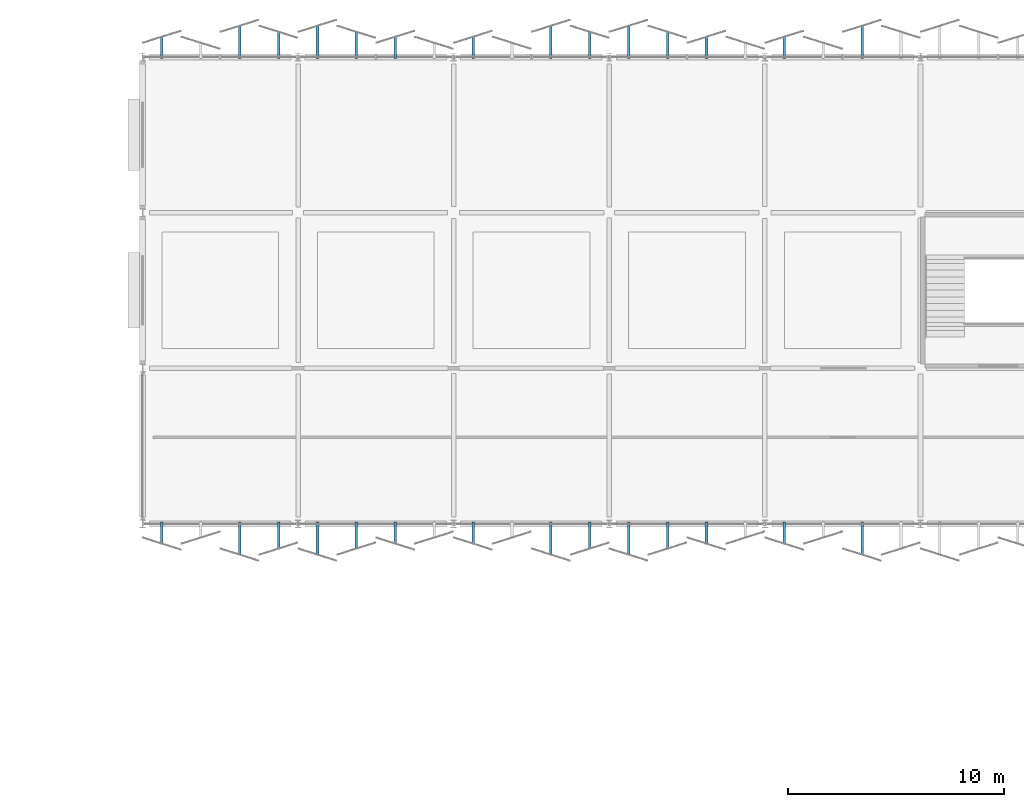
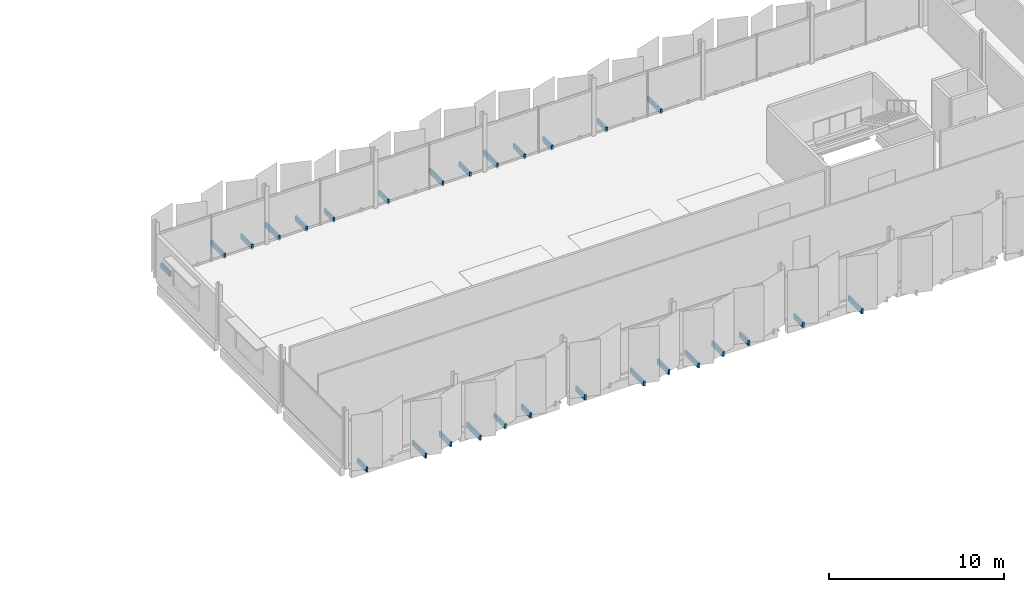
# One storey, part 80 of 91: 28 discrete accessories.
"""IFC4 building model written with IfcOpenShell, lengths in metres."""

from ifc_helpers import new_model, si_unit, direction, frame, origin, origin_2d, place, context, subcontext, project, spatial, rectangle, extrude, material, type_object, element, save


model = new_model("IFC4")

# Units and contexts
model_context = context("Model", 3, precision=1e-05, world=origin(), true_north=direction((0.0, 1.0)))
body_context = subcontext(model_context, "Body", "Model", "MODEL_VIEW")
ifc_project = project(units=[si_unit("LENGTHUNIT", "METRE"), si_unit("AREAUNIT", "SQUARE_METRE"), si_unit("VOLUMEUNIT", "CUBIC_METRE"), si_unit("PLANEANGLEUNIT", "RADIAN"), si_unit("MASSUNIT", "GRAM", prefix="KILO")], contexts=[model_context])

# Site, building, storey
site_placement = place(None, origin())
site = spatial("IfcSite", under=ifc_project, at=site_placement, CompositionType="ELEMENT")
building_placement = place(site_placement, origin())
building = spatial("IfcBuilding", under=site, at=building_placement, Name="Kangsadwip Square Police Headquarters", CompositionType="ELEMENT")
storey_placement = place(building_placement, frame((0.0, 0.0, 13.5)))
storey = spatial("IfcBuildingStorey", under=building, at=storey_placement, Name="L03", CompositionType="ELEMENT", Elevation=13.5)

# Discrete accessories
ifc_material = material(Name="Structural steel IS 2062 E350 (Grade 350, 350 MPa)", Category="steel")
discrete_accessory_type = type_object("IfcDiscreteAccessoryType", Name="VeilOutriggerBracket", PredefinedType="BRACKET", material=ifc_material)
discrete_accessory_1_placement = place(storey_placement, frame((94.5, 115.642578125, -0.10009765625), z_axis=(0.0, 0.0, 1.0), x_axis=(1.0, 0.0, 0.0)))
element("IfcDiscreteAccessory", 1, at=discrete_accessory_1_placement, inside=storey, type_object=discrete_accessory_type, Name="Veil Outrigger Bracket VBK-L03-0113", PredefinedType="BRACKET", context=body_context, shape_type="SweptSolid", body=[
    extrude(rectangle(XDim=0.1201171875, YDim=1.04541015625, at=origin_2d()), origin(), (0.0, 0.0, 1.0), 0.340087890625),
])
discrete_accessory_2_placement = place(storey_placement, frame((98.10009765625, 115.897216796875, -0.10009765625), z_axis=(0.0, 0.0, 1.0), x_axis=(1.0, 0.0, 0.0)))
element("IfcDiscreteAccessory", 2, at=discrete_accessory_2_placement, inside=storey, type_object=discrete_accessory_type, Name="Veil Outrigger Bracket VBK-L03-0115", PredefinedType="BRACKET", context=body_context, shape_type="SweptSolid", body=[
    extrude(rectangle(XDim=0.1201171875, YDim=1.5546875, at=origin_2d()), origin(), (0.0, 0.0, 1.0), 0.340087890625),
])
discrete_accessory_3_placement = place(storey_placement, frame((99.89990234375, 115.75732421875, -0.10009765625), z_axis=(0.0, 0.0, 1.0), x_axis=(1.0, 0.0, 0.0)))
element("IfcDiscreteAccessory", 3, at=discrete_accessory_3_placement, inside=storey, type_object=discrete_accessory_type, Name="Veil Outrigger Bracket VBK-L03-0116", PredefinedType="BRACKET", context=body_context, shape_type="SweptSolid", body=[
    extrude(rectangle(XDim=0.1201171875, YDim=1.274658203125, at=origin_2d()), origin(), (0.0, 0.0, 1.0), 0.340087890625),
])
discrete_accessory_4_placement = place(storey_placement, frame((101.699951171875, 115.897216796875, -0.10009765625), z_axis=(0.0, 0.0, 1.0), x_axis=(1.0, 0.0, 0.0)))
element("IfcDiscreteAccessory", 4, at=discrete_accessory_4_placement, inside=storey, type_object=discrete_accessory_type, Name="Veil Outrigger Bracket VBK-L03-0117", PredefinedType="BRACKET", context=body_context, shape_type="SweptSolid", body=[
    extrude(rectangle(XDim=0.1201171875, YDim=1.5546875, at=origin_2d()), origin(), (0.0, 0.0, 1.0), 0.340087890625),
])
discrete_accessory_5_placement = place(storey_placement, frame((103.5, 115.75732421875, -0.10009765625), z_axis=(0.0, 0.0, 1.0), x_axis=(1.0, 0.0, 0.0)))
element("IfcDiscreteAccessory", 5, at=discrete_accessory_5_placement, inside=storey, type_object=discrete_accessory_type, Name="Veil Outrigger Bracket VBK-L03-0118", PredefinedType="BRACKET", context=body_context, shape_type="SweptSolid", body=[
    extrude(rectangle(XDim=0.1201171875, YDim=1.274658203125, at=origin_2d()), origin(), (0.0, 0.0, 1.0), 0.340087890625),
])
for number, where, z_axis, x_axis, name in (
    (6, (105.300048828125, 115.642578125, -0.10009765625), (0.0, 0.0, 1.0), (1.0, 0.0, 0.0), "Veil Outrigger Bracket VBK-L03-0119"),
    (7, (108.89990234375, 115.642578125, -0.10009765625), (0.0, 0.0, 1.0), (1.0, 0.0, 0.0), "Veil Outrigger Bracket VBK-L03-0121"),
):
    element("IfcDiscreteAccessory", number, at=place(storey_placement, frame(where, z_axis=z_axis, x_axis=x_axis)), inside=storey, type_object=discrete_accessory_type, Name=name, PredefinedType="BRACKET", context=body_context, shape_type="SweptSolid", body=[
        extrude(rectangle(XDim=0.1201171875, YDim=1.04541015625, at=origin_2d()), origin(), (0.0, 0.0, 1.0), 0.340087890625),
    ])
discrete_accessory_6_placement = place(storey_placement, frame((112.5, 115.897216796875, -0.10009765625), z_axis=(0.0, 0.0, 1.0), x_axis=(1.0, 0.0, 0.0)))
element("IfcDiscreteAccessory", 8, at=discrete_accessory_6_placement, inside=storey, type_object=discrete_accessory_type, Name="Veil Outrigger Bracket VBK-L03-0123", PredefinedType="BRACKET", context=body_context, shape_type="SweptSolid", body=[
    extrude(rectangle(XDim=0.1201171875, YDim=1.5546875, at=origin_2d()), origin(), (0.0, 0.0, 1.0), 0.340087890625),
])
discrete_accessory_7_placement = place(storey_placement, frame((114.300048828125, 115.75732421875, -0.10009765625), z_axis=(0.0, 0.0, 1.0), x_axis=(1.0, 0.0, 0.0)))
element("IfcDiscreteAccessory", 9, at=discrete_accessory_7_placement, inside=storey, type_object=discrete_accessory_type, Name="Veil Outrigger Bracket VBK-L03-0124", PredefinedType="BRACKET", context=body_context, shape_type="SweptSolid", body=[
    extrude(rectangle(XDim=0.1201171875, YDim=1.274658203125, at=origin_2d()), origin(), (0.0, 0.0, 1.0), 0.340087890625),
])
discrete_accessory_8_placement = place(storey_placement, frame((116.10009765625, 115.897216796875, -0.10009765625), z_axis=(0.0, 0.0, 1.0), x_axis=(1.0, 0.0, 0.0)))
element("IfcDiscreteAccessory", 10, at=discrete_accessory_8_placement, inside=storey, type_object=discrete_accessory_type, Name="Veil Outrigger Bracket VBK-L03-0125", PredefinedType="BRACKET", context=body_context, shape_type="SweptSolid", body=[
    extrude(rectangle(XDim=0.1201171875, YDim=1.5546875, at=origin_2d()), origin(), (0.0, 0.0, 1.0), 0.340087890625),
])
discrete_accessory_9_placement = place(storey_placement, frame((117.89990234375, 115.75732421875, -0.10009765625), z_axis=(0.0, 0.0, 1.0), x_axis=(1.0, 0.0, 0.0)))
element("IfcDiscreteAccessory", 11, at=discrete_accessory_9_placement, inside=storey, type_object=discrete_accessory_type, Name="Veil Outrigger Bracket VBK-L03-0126", PredefinedType="BRACKET", context=body_context, shape_type="SweptSolid", body=[
    extrude(rectangle(XDim=0.1201171875, YDim=1.274658203125, at=origin_2d()), origin(), (0.0, 0.0, 1.0), 0.340087890625),
])
for number, where, z_axis, x_axis, name in (
    (12, (119.699951171875, 115.642578125, -0.10009765625), (0.0, 0.0, 1.0), (1.0, 0.0, 0.0), "Veil Outrigger Bracket VBK-L03-0127"),
    (13, (123.300048828125, 115.642578125, -0.10009765625), (0.0, 0.0, 1.0), (1.0, 0.0, 0.0), "Veil Outrigger Bracket VBK-L03-0129"),
):
    element("IfcDiscreteAccessory", number, at=place(storey_placement, frame(where, z_axis=z_axis, x_axis=x_axis)), inside=storey, type_object=discrete_accessory_type, Name=name, PredefinedType="BRACKET", context=body_context, shape_type="SweptSolid", body=[
        extrude(rectangle(XDim=0.1201171875, YDim=1.04541015625, at=origin_2d()), origin(), (0.0, 0.0, 1.0), 0.340087890625),
    ])
discrete_accessory_10_placement = place(storey_placement, frame((126.89990234375, 115.897216796875, -0.10009765625), z_axis=(0.0, 0.0, 1.0), x_axis=(1.0, 0.0, 0.0)))
element("IfcDiscreteAccessory", 14, at=discrete_accessory_10_placement, inside=storey, type_object=discrete_accessory_type, Name="Veil Outrigger Bracket VBK-L03-0131", PredefinedType="BRACKET", context=body_context, shape_type="SweptSolid", body=[
    extrude(rectangle(XDim=0.1201171875, YDim=1.5546875, at=origin_2d()), origin(), (0.0, 0.0, 1.0), 0.340087890625),
])
discrete_accessory_11_placement = place(storey_placement, frame((94.5, 93.1572265625, -0.10009765625), z_axis=(0.0, 0.0, 1.0), x_axis=(1.0, 0.0, 0.0)))
element("IfcDiscreteAccessory", 15, at=discrete_accessory_11_placement, inside=storey, type_object=discrete_accessory_type, Name="Veil Outrigger Bracket VBK-L03-0309", PredefinedType="BRACKET", context=body_context, shape_type="SweptSolid", body=[
    extrude(rectangle(XDim=0.1201171875, YDim=1.04541015625, at=origin_2d()), origin(), (0.0, 0.0, 1.0), 0.340087890625),
])
discrete_accessory_12_placement = place(storey_placement, frame((98.10009765625, 92.902587890625, -0.10009765625), z_axis=(0.0, 0.0, 1.0), x_axis=(1.0, 0.0, 0.0)))
element("IfcDiscreteAccessory", 16, at=discrete_accessory_12_placement, inside=storey, type_object=discrete_accessory_type, Name="Veil Outrigger Bracket VBK-L03-0311", PredefinedType="BRACKET", context=body_context, shape_type="SweptSolid", body=[
    extrude(rectangle(XDim=0.1201171875, YDim=1.5546875, at=origin_2d()), origin(), (0.0, 0.0, 1.0), 0.340087890625),
])
discrete_accessory_13_placement = place(storey_placement, frame((99.89990234375, 93.042724609375, -0.10009765625), z_axis=(0.0, 0.0, 1.0), x_axis=(1.0, 0.0, 0.0)))
element("IfcDiscreteAccessory", 17, at=discrete_accessory_13_placement, inside=storey, type_object=discrete_accessory_type, Name="Veil Outrigger Bracket VBK-L03-0312", PredefinedType="BRACKET", context=body_context, shape_type="SweptSolid", body=[
    extrude(rectangle(XDim=0.1201171875, YDim=1.274658203125, at=origin_2d()), origin(), (0.0, 0.0, 1.0), 0.340087890625),
])
discrete_accessory_14_placement = place(storey_placement, frame((101.699951171875, 92.902587890625, -0.10009765625), z_axis=(0.0, 0.0, 1.0), x_axis=(1.0, 0.0, 0.0)))
element("IfcDiscreteAccessory", 18, at=discrete_accessory_14_placement, inside=storey, type_object=discrete_accessory_type, Name="Veil Outrigger Bracket VBK-L03-0313", PredefinedType="BRACKET", context=body_context, shape_type="SweptSolid", body=[
    extrude(rectangle(XDim=0.1201171875, YDim=1.5546875, at=origin_2d()), origin(), (0.0, 0.0, 1.0), 0.340087890625),
])
discrete_accessory_15_placement = place(storey_placement, frame((103.5, 93.042724609375, -0.10009765625), z_axis=(0.0, 0.0, 1.0), x_axis=(1.0, 0.0, 0.0)))
element("IfcDiscreteAccessory", 19, at=discrete_accessory_15_placement, inside=storey, type_object=discrete_accessory_type, Name="Veil Outrigger Bracket VBK-L03-0314", PredefinedType="BRACKET", context=body_context, shape_type="SweptSolid", body=[
    extrude(rectangle(XDim=0.1201171875, YDim=1.274658203125, at=origin_2d()), origin(), (0.0, 0.0, 1.0), 0.340087890625),
])
for number, where, z_axis, x_axis, name in (
    (20, (105.300048828125, 93.1572265625, -0.10009765625), (0.0, 0.0, 1.0), (1.0, 0.0, 0.0), "Veil Outrigger Bracket VBK-L03-0315"),
    (21, (108.89990234375, 93.1572265625, -0.10009765625), (0.0, 0.0, 1.0), (1.0, 0.0, 0.0), "Veil Outrigger Bracket VBK-L03-0317"),
):
    element("IfcDiscreteAccessory", number, at=place(storey_placement, frame(where, z_axis=z_axis, x_axis=x_axis)), inside=storey, type_object=discrete_accessory_type, Name=name, PredefinedType="BRACKET", context=body_context, shape_type="SweptSolid", body=[
        extrude(rectangle(XDim=0.1201171875, YDim=1.04541015625, at=origin_2d()), origin(), (0.0, 0.0, 1.0), 0.340087890625),
    ])
discrete_accessory_16_placement = place(storey_placement, frame((112.5, 92.902587890625, -0.10009765625), z_axis=(0.0, 0.0, 1.0), x_axis=(1.0, 0.0, 0.0)))
element("IfcDiscreteAccessory", 22, at=discrete_accessory_16_placement, inside=storey, type_object=discrete_accessory_type, Name="Veil Outrigger Bracket VBK-L03-0319", PredefinedType="BRACKET", context=body_context, shape_type="SweptSolid", body=[
    extrude(rectangle(XDim=0.1201171875, YDim=1.5546875, at=origin_2d()), origin(), (0.0, 0.0, 1.0), 0.340087890625),
])
discrete_accessory_17_placement = place(storey_placement, frame((114.300048828125, 93.042724609375, -0.10009765625), z_axis=(0.0, 0.0, 1.0), x_axis=(1.0, 0.0, 0.0)))
element("IfcDiscreteAccessory", 23, at=discrete_accessory_17_placement, inside=storey, type_object=discrete_accessory_type, Name="Veil Outrigger Bracket VBK-L03-0320", PredefinedType="BRACKET", context=body_context, shape_type="SweptSolid", body=[
    extrude(rectangle(XDim=0.1201171875, YDim=1.274658203125, at=origin_2d()), origin(), (0.0, 0.0, 1.0), 0.340087890625),
])
discrete_accessory_18_placement = place(storey_placement, frame((116.10009765625, 92.902587890625, -0.10009765625), z_axis=(0.0, 0.0, 1.0), x_axis=(1.0, 0.0, 0.0)))
element("IfcDiscreteAccessory", 24, at=discrete_accessory_18_placement, inside=storey, type_object=discrete_accessory_type, Name="Veil Outrigger Bracket VBK-L03-0321", PredefinedType="BRACKET", context=body_context, shape_type="SweptSolid", body=[
    extrude(rectangle(XDim=0.1201171875, YDim=1.5546875, at=origin_2d()), origin(), (0.0, 0.0, 1.0), 0.340087890625),
])
discrete_accessory_19_placement = place(storey_placement, frame((117.89990234375, 93.042724609375, -0.10009765625), z_axis=(0.0, 0.0, 1.0), x_axis=(1.0, 0.0, 0.0)))
element("IfcDiscreteAccessory", 25, at=discrete_accessory_19_placement, inside=storey, type_object=discrete_accessory_type, Name="Veil Outrigger Bracket VBK-L03-0322", PredefinedType="BRACKET", context=body_context, shape_type="SweptSolid", body=[
    extrude(rectangle(XDim=0.1201171875, YDim=1.274658203125, at=origin_2d()), origin(), (0.0, 0.0, 1.0), 0.340087890625),
])
for number, where, z_axis, x_axis, name in (
    (26, (119.699951171875, 93.1572265625, -0.10009765625), (0.0, 0.0, 1.0), (1.0, 0.0, 0.0), "Veil Outrigger Bracket VBK-L03-0323"),
    (27, (123.300048828125, 93.1572265625, -0.10009765625), (0.0, 0.0, 1.0), (1.0, 0.0, 0.0), "Veil Outrigger Bracket VBK-L03-0325"),
):
    element("IfcDiscreteAccessory", number, at=place(storey_placement, frame(where, z_axis=z_axis, x_axis=x_axis)), inside=storey, type_object=discrete_accessory_type, Name=name, PredefinedType="BRACKET", context=body_context, shape_type="SweptSolid", body=[
        extrude(rectangle(XDim=0.1201171875, YDim=1.04541015625, at=origin_2d()), origin(), (0.0, 0.0, 1.0), 0.340087890625),
    ])
discrete_accessory_20_placement = place(storey_placement, frame((126.89990234375, 92.902587890625, -0.10009765625), z_axis=(0.0, 0.0, 1.0), x_axis=(1.0, 0.0, 0.0)))
element("IfcDiscreteAccessory", 28, at=discrete_accessory_20_placement, inside=storey, type_object=discrete_accessory_type, Name="Veil Outrigger Bracket VBK-L03-0327", PredefinedType="BRACKET", context=body_context, shape_type="SweptSolid", body=[
    extrude(rectangle(XDim=0.1201171875, YDim=1.5546875, at=origin_2d()), origin(), (0.0, 0.0, 1.0), 0.340087890625),
])

save(model, "model.ifc")
